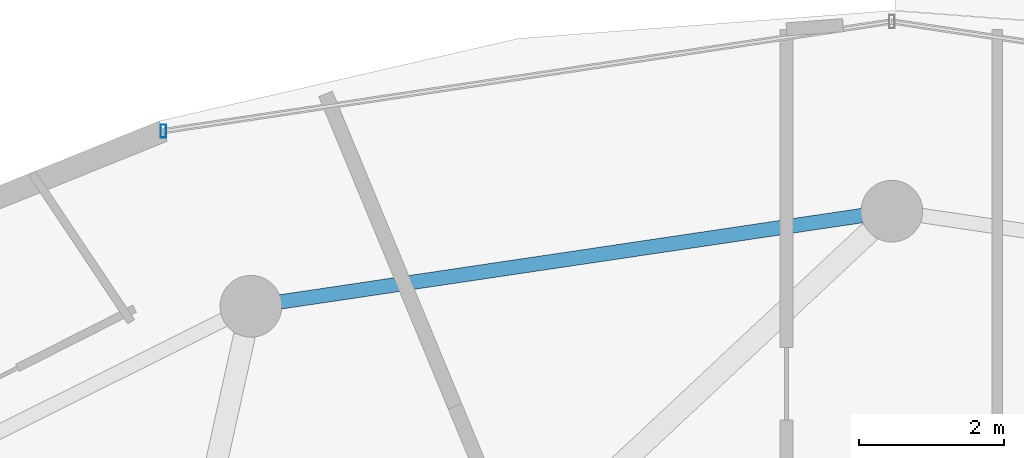
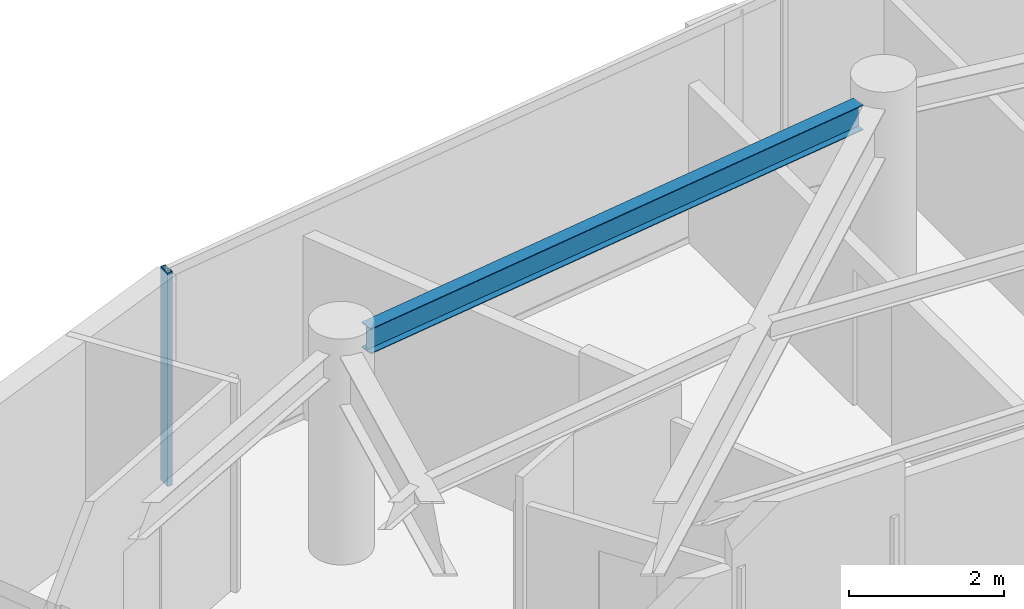
# One storey, part 18 of 31: 1 beam, 1 member, 1 element without a shape of its own.
"""IFC4 building model written with IfcOpenShell, lengths in metres."""

from ifc_helpers import new_model, si_unit, direction, frame, origin, origin_2d, place, context, subcontext, project, spatial, hollow_rectangle, i_section, extrude, material, material_profile, profile_set, type_object, element, aggregate, save


model = new_model("IFC4")

# Units and contexts
model_context = context("Model", 3, precision=1e-05, world=origin(), true_north=direction((0.0, 1.0)))
body_context = subcontext(model_context, "Body", "Model", "MODEL_VIEW")
ifc_project = project(units=[si_unit("LENGTHUNIT", "METRE"), si_unit("AREAUNIT", "SQUARE_METRE"), si_unit("VOLUMEUNIT", "CUBIC_METRE"), si_unit("PLANEANGLEUNIT", "RADIAN"), si_unit("MASSUNIT", "GRAM", prefix="KILO")], contexts=[model_context])

# Site, building, storey
site_placement = place(None, origin())
site = spatial("IfcSite", under=ifc_project, at=site_placement, CompositionType="ELEMENT")
building_placement = place(site_placement, origin())
building = spatial("IfcBuilding", under=site, at=building_placement, Name="Vorneva Point Tower", CompositionType="ELEMENT")
storey_placement = place(building_placement, frame((0.0, 0.0, 244.89990234375)))
storey = spatial("IfcBuildingStorey", under=building, at=storey_placement, Name="L66", CompositionType="ELEMENT", Elevation=244.89990234375)

# Beam
ifc_material_1 = material(Name="Steel S355", Category="steel")
ifc_material_profile_1 = material_profile(ifc_material_1, i_section(OverallWidth=0.198974609375, OverallDepth=0.39599609375, WebThickness=0.007080078125, FlangeThickness=0.010986328125, at=origin_2d()), Name="40B1")
ifc_profile_set_1 = profile_set([ifc_material_profile_1], Name="Steel S355")
beam_type = type_object("IfcBeamType", Name="BM-SPN-40B1", PredefinedType="SPANDREL", material=ifc_profile_set_1)
beam_placement = place(storey_placement, frame((37.594482421875, 43.139892578125, 3.092041015625), z_axis=(-0.989161657331, -0.146830567886, 0.0), x_axis=(0.146830567886, -0.989161657331, 0.0)))
element("IfcBeam", 1, at=beam_placement, inside=storey, type_object=beam_type, Name="L66 Perimeter Spandrel Ring Beam 05", PredefinedType="SPANDREL", context=body_context, shape_type="SweptSolid", body=[
    extrude(i_section(OverallWidth=0.198974609375, OverallDepth=0.39599609375, WebThickness=0.007080078125, FlangeThickness=0.010986328125, at=origin_2d()), origin(), (0.0, 0.0, 1.0), 8.097412109375),
])

# Curtain wall, member
ifc_material_2 = material(Name="Pale anodised aluminium", Category="aluminium")
curtain_wall_type = type_object("IfcCurtainWallType", Name="CW-RES-SYS", PredefinedType="NOTDEFINED", material=ifc_material_2)
curtain_wall_placement = place(storey_placement, origin())
curtain_wall = element("IfcCurtainWall", 2, at=curtain_wall_placement, inside=storey, type_object=curtain_wall_type, Name="L66 Unitised Curtain Wall CW-L66-R02", PredefinedType="NOTDEFINED")
ifc_material_profile_2 = material_profile(ifc_material_2, hollow_rectangle(XDim=0.074951171875, YDim=0.179931640625, WallThickness=0.00390625, at=origin_2d()), Name="AL-MUL 180x75x4")
ifc_profile_set_2 = profile_set([ifc_material_profile_2], Name="Pale anodised aluminium")
member_type = type_object("IfcMemberType", Name="CW-MUL-180", PredefinedType="MULLION", material=ifc_profile_set_2)
member_placement = place(storey_placement, frame((27.9736328125, 44.302001953125, -0.039794921875), z_axis=(0.0, 0.0, 1.0), x_axis=(1.0, 0.0, 0.0)))
member = element("IfcMember", 3, at=member_placement, type_object=member_type, Name="CW-L66-R02 Mullion 04", PredefinedType="MULLION", context=body_context, shape_type="SweptSolid", body=[
    extrude(hollow_rectangle(XDim=0.074951171875, YDim=0.179931640625, WallThickness=0.00390625, at=origin_2d()), origin(), (0.0, 0.0, 1.0), 3.35986328125),
])
aggregate(curtain_wall, [member])

save(model, "model.ifc")
